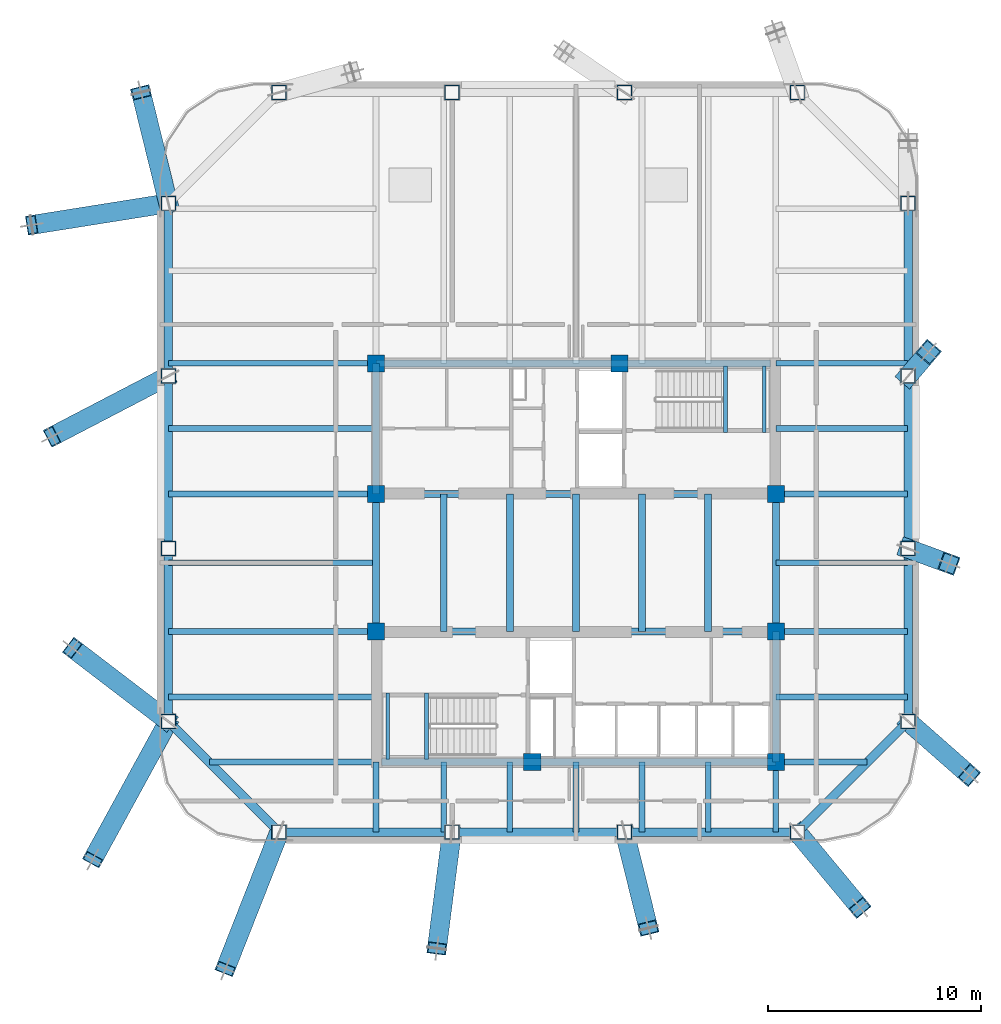
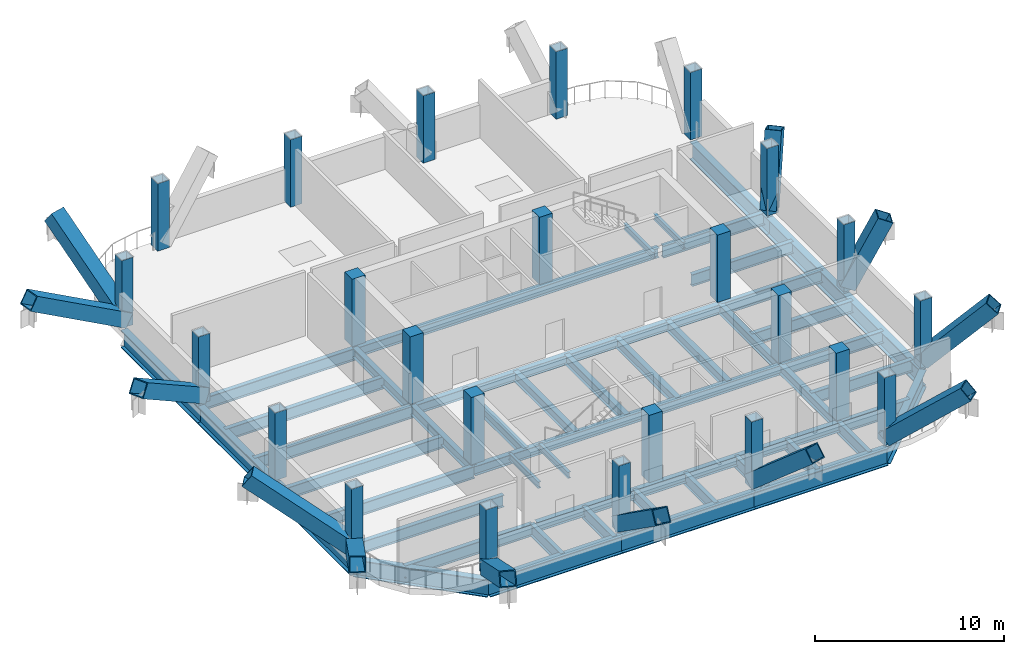
# One storey, part 1 of 8: 49 beams, 24 columns, 12 members.
"""IFC4 building model written with IfcOpenShell, lengths in metres."""

from ifc_helpers import new_model, si_unit, direction, frame, origin, origin_2d, place, context, subcontext, project, spatial, rectangle, hollow_rectangle, i_section, extrude, material, material_profile, profile_set, type_object, element, save


model = new_model("IFC4")

# Units and contexts
model_context = context("Model", 3, precision=1e-05, world=origin(), true_north=direction((0.0, 1.0)))
body_context = subcontext(model_context, "Body", "Model", "MODEL_VIEW")
ifc_project = project(units=[si_unit("LENGTHUNIT", "METRE"), si_unit("AREAUNIT", "SQUARE_METRE"), si_unit("VOLUMEUNIT", "CUBIC_METRE"), si_unit("PLANEANGLEUNIT", "RADIAN"), si_unit("MASSUNIT", "GRAM", prefix="KILO")], contexts=[model_context])

# Site, building, storey
site_placement = place(None, origin())
site = spatial("IfcSite", under=ifc_project, at=site_placement, CompositionType="ELEMENT")
building_placement = place(site_placement, origin())
building = spatial("IfcBuilding", under=site, at=building_placement, Name="Qhalaya Broadcast Tower", CompositionType="ELEMENT")
storey_placement = place(building_placement, frame((0.0, 0.0, 151.800048828125)))
storey = spatial("IfcBuildingStorey", under=building, at=storey_placement, Name="L44", CompositionType="ELEMENT", Elevation=151.800048828125)

# Columns
ifc_material_1 = material(Name="Concrete C50/60", Category="concrete")
ifc_material_profile_1 = material_profile(ifc_material_1, rectangle(XDim=0.800048828125, YDim=0.800048828125, at=origin_2d()), Name="RC-COL 800x800")
ifc_profile_set_1 = profile_set([ifc_material_profile_1], Name="Concrete C50/60")
column_type_1 = type_object("IfcColumnType", Name="RC Upper Column C10", PredefinedType="COLUMN", material=ifc_profile_set_1)
for number, where, z_axis, x_axis, name in (
    (1, (-9.375, 9.949951171875, 0.0), (0.0, 0.0, 1.0), (1.0, 0.0, 0.0), "L44 Column COL-CC1"),
    (2, (2.050048828125, 9.949951171875, 0.0), (0.0, 0.0, 1.0), (1.0, 0.0, 0.0), "L44 Column COL-CC2"),
    (3, (-9.375, 3.824951171875, 0.0), (0.0, 0.0, 1.0), (1.0, 0.0, 0.0), "L44 Column COL-CC3"),
    (4, (9.375, 3.824951171875, 0.0), (0.0, 0.0, 1.0), (1.0, 0.0, 0.0), "L44 Column COL-CC4"),
    (5, (-9.375, -2.625, 0.0), (0.0, 0.0, 1.0), (1.0, 0.0, 0.0), "L44 Column COL-CC5"),
    (6, (9.375, -2.625, 0.0), (0.0, 0.0, 1.0), (1.0, 0.0, 0.0), "L44 Column COL-CC6"),
    (7, (-2.050048828125, -8.75, 0.0), (0.0, 0.0, 1.0), (1.0, 0.0, 0.0), "L44 Column COL-CC7"),
    (8, (9.375, -8.75, 0.0), (0.0, 0.0, 1.0), (1.0, 0.0, 0.0), "L44 Column COL-CC8"),
):
    element("IfcColumn", number, at=place(storey_placement, frame(where, z_axis=z_axis, x_axis=x_axis)), inside=storey, type_object=column_type_1, Name=name, PredefinedType="COLUMN", context=body_context, shape_type="SweptSolid", body=[
        extrude(rectangle(XDim=0.800048828125, YDim=0.800048828125, at=origin_2d()), origin(), (0.0, 0.0, 1.0), 4.349853515625),
    ])
ifc_material_2 = material(Name="Structural Steel ASTM A572 Grade 50", Category="steel")
ifc_material_profile_2 = material_profile(ifc_material_2, hollow_rectangle(XDim=0.699951171875, YDim=0.699951171875, WallThickness=0.044921875, at=origin_2d()), Name="BOX 700x700x45")
ifc_profile_set_2 = profile_set([ifc_material_profile_2], Name="Structural Steel ASTM A572 Grade 50")
column_type_2 = type_object("IfcColumnType", Name="Steel Box Column C04", PredefinedType="COLUMN", material=ifc_profile_set_2)
for number, where, z_axis, x_axis, name in (
    (9, (-13.919921875, -12.0400390625, 0.0), (0.0, 0.0, 1.0), (1.0, 0.0, 0.0), "L44 Column COL-NK01"),
    (10, (-5.820068359375, -12.0400390625, 0.0), (0.0, 0.0, 1.0), (1.0, 0.0, 0.0), "L44 Column COL-NK02"),
    (11, (2.280029296875, -12.0400390625, 0.0), (0.0, 0.0, 1.0), (1.0, 0.0, 0.0), "L44 Column COL-NK03"),
    (12, (10.3798828125, -12.0400390625, 0.0), (0.0, 0.0, 1.0), (1.0, 0.0, 0.0), "L44 Column COL-NK04"),
    (13, (15.580078125, -6.840087890625, 0.0), (0.0, 0.0, 1.0), (0.0, 1.0, 0.0), "L44 Column COL-NK05"),
    (14, (15.580078125, 1.260009765625, 0.0), (0.0, 0.0, 1.0), (0.0, 1.0, 0.0), "L44 Column COL-NK06"),
    (15, (15.580078125, 9.360107421875, 0.0), (0.0, 0.0, 1.0), (0.0, 1.0, 0.0), "L44 Column COL-NK07"),
    (16, (15.580078125, 17.4599609375, 0.0), (0.0, 0.0, 1.0), (0.0, 1.0, 0.0), "L44 Column COL-NK08"),
    (17, (10.3798828125, 22.659912109375, 0.0), (0.0, 0.0, 1.0), (1.0, 0.0, 0.0), "L44 Column COL-NK09"),
    (18, (2.280029296875, 22.659912109375, 0.0), (0.0, 0.0, 1.0), (1.0, 0.0, 0.0), "L44 Column COL-NK10"),
    (19, (-5.820068359375, 22.659912109375, 0.0), (0.0, 0.0, 1.0), (1.0, 0.0, 0.0), "L44 Column COL-NK11"),
    (20, (-13.919921875, 22.659912109375, 0.0), (0.0, 0.0, 1.0), (1.0, 0.0, 0.0), "L44 Column COL-NK12"),
    (21, (-19.1201171875, 17.4599609375, 0.0), (0.0, 0.0, 1.0), (0.0, 1.0, 0.0), "L44 Column COL-NK13"),
    (22, (-19.1201171875, 9.360107421875, 0.0), (0.0, 0.0, 1.0), (0.0, 1.0, 0.0), "L44 Column COL-NK14"),
    (23, (-19.1201171875, 1.260009765625, 0.0), (0.0, 0.0, 1.0), (0.0, 1.0, 0.0), "L44 Column COL-NK15"),
    (24, (-19.1201171875, -6.840087890625, 0.0), (0.0, 0.0, 1.0), (0.0, 1.0, 0.0), "L44 Column COL-NK16"),
):
    element("IfcColumn", number, at=place(storey_placement, frame(where, z_axis=z_axis, x_axis=x_axis)), inside=storey, type_object=column_type_2, Name=name, PredefinedType="COLUMN", context=body_context, shape_type="SweptSolid", body=[
        extrude(hollow_rectangle(XDim=0.699951171875, YDim=0.699951171875, WallThickness=0.044921875, at=origin_2d()), origin(), (0.0, 0.0, 1.0), 4.349853515625),
    ])

# Beams
ifc_material_3 = material(Name="Structural Steel ASTM A992 Grade 50", Category="steel")
ifc_material_profile_3 = material_profile(ifc_material_3, i_section(OverallWidth=0.323974609375, OverallDepth=0.612060546875, WebThickness=0.0126953125, FlangeThickness=0.01904296875, at=origin_2d()), Name="W24X104")
ifc_profile_set_3 = profile_set([ifc_material_profile_3], Name="Structural Steel ASTM A992 Grade 50")
beam_type_1 = type_object("IfcBeamType", Name="Core Frame Tie Beam B04", PredefinedType="BEAM", material=ifc_profile_set_3)
beam_1_placement = place(storey_placement, frame((-9.375, 3.824951171875, -0.68603515625), z_axis=(1.0, 0.0, 0.0), x_axis=(0.0, 1.0, 0.0)))
element("IfcBeam", 25, at=beam_1_placement, inside=storey, type_object=beam_type_1, Name="L44 B04 L44-CCN1", PredefinedType="BEAM", context=body_context, shape_type="SweptSolid", body=[
    extrude(i_section(OverallWidth=0.323974609375, OverallDepth=0.612060546875, WebThickness=0.0126953125, FlangeThickness=0.01904296875, at=origin_2d()), origin(), (0.0, 0.0, 1.0), 18.75),
])
beam_2_placement = place(storey_placement, frame((-9.375, 3.824951171875, -0.68603515625), z_axis=(0.0, 1.0, 0.0), x_axis=(-1.0, 0.0, 0.0)))
element("IfcBeam", 26, at=beam_2_placement, inside=storey, type_object=beam_type_1, Name="L44 B04 L44-CCN2", PredefinedType="BEAM", context=body_context, shape_type="SweptSolid", body=[
    extrude(i_section(OverallWidth=0.323974609375, OverallDepth=0.612060546875, WebThickness=0.0126953125, FlangeThickness=0.01904296875, at=origin_2d()), origin(), (0.0, 0.0, 1.0), 6.125),
])
beam_3_placement = place(storey_placement, frame((-9.375, 9.949951171875, -0.68603515625), z_axis=(1.0, 0.0, 0.0), x_axis=(0.0, 1.0, 0.0)))
element("IfcBeam", 27, at=beam_3_placement, inside=storey, type_object=beam_type_1, Name="L44 B04 L44-CCN3", PredefinedType="BEAM", context=body_context, shape_type="SweptSolid", body=[
    extrude(i_section(OverallWidth=0.323974609375, OverallDepth=0.612060546875, WebThickness=0.0126953125, FlangeThickness=0.01904296875, at=origin_2d()), origin(), (0.0, 0.0, 1.0), 18.4951171875),
])
beam_4_placement = place(storey_placement, frame((-9.375, -2.625, -0.68603515625), z_axis=(1.0, 0.0, 0.0), x_axis=(0.0, 1.0, 0.0)))
element("IfcBeam", 28, at=beam_4_placement, inside=storey, type_object=beam_type_1, Name="L44 B04 L44-CCS1", PredefinedType="BEAM", context=body_context, shape_type="SweptSolid", body=[
    extrude(i_section(OverallWidth=0.323974609375, OverallDepth=0.612060546875, WebThickness=0.0126953125, FlangeThickness=0.01904296875, at=origin_2d()), origin(), (0.0, 0.0, 1.0), 18.75),
])
beam_5_placement = place(storey_placement, frame((9.375, -8.75, -0.68603515625), z_axis=(0.0, 1.0, 0.0), x_axis=(-1.0, 0.0, 0.0)))
element("IfcBeam", 29, at=beam_5_placement, inside=storey, type_object=beam_type_1, Name="L44 B04 L44-CCS2", PredefinedType="BEAM", context=body_context, shape_type="SweptSolid", body=[
    extrude(i_section(OverallWidth=0.323974609375, OverallDepth=0.612060546875, WebThickness=0.0126953125, FlangeThickness=0.01904296875, at=origin_2d()), origin(), (0.0, 0.0, 1.0), 6.125),
])
beam_6_placement = place(storey_placement, frame((-9.1201171875, -8.75, -0.68603515625), z_axis=(1.0, 0.0, 0.0), x_axis=(0.0, 1.0, 0.0)))
element("IfcBeam", 30, at=beam_6_placement, inside=storey, type_object=beam_type_1, Name="L44 B04 L44-CCS3", PredefinedType="BEAM", context=body_context, shape_type="SweptSolid", body=[
    extrude(i_section(OverallWidth=0.323974609375, OverallDepth=0.612060546875, WebThickness=0.0126953125, FlangeThickness=0.01904296875, at=origin_2d()), origin(), (0.0, 0.0, 1.0), 18.4951171875),
])
for number, where, z_axis, x_axis, name in (
    (31, (-9.375, -2.625, -0.68603515625), (0.0, 1.0, 0.0), (-1.0, 0.0, 0.0), "L44 B04 L44-CCW"),
    (32, (9.375, -2.625, -0.68603515625), (0.0, 1.0, 0.0), (-1.0, 0.0, 0.0), "L44 B04 L44-CCE"),
    (33, (-6.199951171875, -2.625, -0.68603515625), (0.0, 1.0, 0.0), (-1.0, 0.0, 0.0), "L44 B04 L44-JC1-1"),
    (34, (-3.10009765625, -2.625, -0.68603515625), (0.0, 1.0, 0.0), (-1.0, 0.0, 0.0), "L44 B04 L44-JC2-1"),
    (35, (0.0, -2.625, -0.68603515625), (0.0, 1.0, 0.0), (-1.0, 0.0, 0.0), "L44 B04 L44-JC3-1"),
    (36, (3.10009765625, -2.625, -0.68603515625), (0.0, 1.0, 0.0), (-1.0, 0.0, 0.0), "L44 B04 L44-JC4-1"),
    (37, (6.199951171875, -2.625, -0.68603515625), (0.0, 1.0, 0.0), (-1.0, 0.0, 0.0), "L44 B04 L44-JC5-1"),
):
    element("IfcBeam", number, at=place(storey_placement, frame(where, z_axis=z_axis, x_axis=x_axis)), inside=storey, type_object=beam_type_1, Name=name, PredefinedType="BEAM", context=body_context, shape_type="SweptSolid", body=[
        extrude(i_section(OverallWidth=0.323974609375, OverallDepth=0.612060546875, WebThickness=0.0126953125, FlangeThickness=0.01904296875, at=origin_2d()), origin(), (0.0, 0.0, 1.0), 6.449951171875),
    ])

# Members
ifc_material_profile_4 = material_profile(ifc_material_2, hollow_rectangle(XDim=0.89990234375, YDim=0.89990234375, WallThickness=0.054931640625, at=origin_2d()), Name="BOX 900x900x55")
ifc_profile_set_4 = profile_set([ifc_material_profile_4], Name="Structural Steel ASTM A572 Grade 50")
member_type = type_object("IfcMemberType", Name="Heavy Exoskeleton Transfer Strut RK1", PredefinedType="BRACE", material=ifc_profile_set_4)
member_1_placement = place(storey_placement, frame((-13.919921875, -12.0400390625, 0.400390625), z_axis=(-0.317694787473, -0.807184645887, 0.49751680319), x_axis=(0.930521192228, -0.366238052111, 0.0)))
element("IfcMember", 38, at=member_1_placement, inside=storey, type_object=member_type, Name="L44 Inclined Exoskeleton Transfer Strut 01", PredefinedType="BRACE", context=body_context, shape_type="SweptSolid", body=[
    extrude(hollow_rectangle(XDim=0.89990234375, YDim=0.89990234375, WallThickness=0.054931640625, at=origin_2d()), origin(), (0.0, 0.0, 1.0), 7.938232421875),
])
member_2_placement = place(storey_placement, frame((-5.820068359375, -12.0400390625, 0.374755859375), z_axis=(-0.103354867889, -0.803735243538, 0.585941489894), x_axis=(0.991833046876, -0.12754296188, 0.0)))
element("IfcMember", 39, at=member_2_placement, inside=storey, type_object=member_type, Name="L44 Inclined Exoskeleton Transfer Strut 02", PredefinedType="BRACE", context=body_context, shape_type="SweptSolid", body=[
    extrude(hollow_rectangle(XDim=0.89990234375, YDim=0.89990234375, WallThickness=0.054931640625, at=origin_2d()), origin(), (0.0, 0.0, 1.0), 6.7841796875),
])
member_3_placement = place(storey_placement, frame((2.280029296875, -12.0400390625, 0.3505859375), z_axis=(0.182899155076, -0.734667539393, 0.653308124575), x_axis=(0.970380630843, 0.241581107054, 0.0)))
element("IfcMember", 40, at=member_3_placement, inside=storey, type_object=member_type, Name="L44 Inclined Exoskeleton Transfer Strut 03", PredefinedType="BRACE", context=body_context, shape_type="SweptSolid", body=[
    extrude(hollow_rectangle(XDim=0.89990234375, YDim=0.89990234375, WallThickness=0.054931640625, at=origin_2d()), origin(), (0.0, 0.0, 1.0), 6.12158203125),
])
member_4_placement = place(storey_placement, frame((10.3798828125, -12.0400390625, 0.349609375), z_axis=(0.482142693535, -0.580780986201, 0.655920627164), x_axis=(0.76941971985, 0.638743528113, 0.0)))
element("IfcMember", 41, at=member_4_placement, inside=storey, type_object=member_type, Name="L44 Inclined Exoskeleton Transfer Strut 04", PredefinedType="BRACE", context=body_context, shape_type="SweptSolid", body=[
    extrude(hollow_rectangle(XDim=0.89990234375, YDim=0.89990234375, WallThickness=0.054931640625, at=origin_2d()), origin(), (0.0, 0.0, 1.0), 6.0986328125),
])
member_5_placement = place(storey_placement, frame((15.580078125, -6.840087890625, 0.3193359375), z_axis=(0.516476366692, -0.45421427447, 0.725907401475), x_axis=(0.66039439539, 0.750918932067, 0.0)))
element("IfcMember", 42, at=member_5_placement, inside=storey, type_object=member_type, Name="L44 Inclined Exoskeleton Transfer Strut 05", PredefinedType="BRACE", context=body_context, shape_type="SweptSolid", body=[
    extrude(hollow_rectangle(XDim=0.89990234375, YDim=0.89990234375, WallThickness=0.054931640625, at=origin_2d()), origin(), (0.0, 0.0, 1.0), 5.552490234375),
])
member_6_placement = place(storey_placement, frame((15.580078125, 1.260009765625, 0.20849609375), z_axis=(0.414408435196, -0.151925073511, 0.897320690098), x_axis=(0.344205347571, 0.938894391667, 0.0)))
element("IfcMember", 43, at=member_6_placement, inside=storey, type_object=member_type, Name="L44 Inclined Exoskeleton Transfer Strut 06", PredefinedType="BRACE", context=body_context, shape_type="SweptSolid", body=[
    extrude(hollow_rectangle(XDim=0.89990234375, YDim=0.89990234375, WallThickness=0.054931640625, at=origin_2d()), origin(), (0.0, 0.0, 1.0), 4.615234375),
])
member_7_placement = place(storey_placement, frame((15.580078125, 9.360107421875, 0.1591796875), z_axis=(0.215506683815, 0.252001567276, 0.943425714787), x_axis=(-0.759993243935, 0.649930972622, 0.0)))
element("IfcMember", 44, at=member_7_placement, inside=storey, type_object=member_type, Name="L44 Inclined Exoskeleton Transfer Strut 07", PredefinedType="BRACE", context=body_context, shape_type="SweptSolid", body=[
    extrude(hollow_rectangle(XDim=0.89990234375, YDim=0.89990234375, WallThickness=0.054931640625, at=origin_2d()), origin(), (0.0, 0.0, 1.0), 4.44189453125),
])
member_8_placement = place(storey_placement, frame((-19.1201171875, 17.4599609375, 0.371337890625), z_axis=(-0.191856367143, 0.779571981519, 0.596203539085), x_axis=(-0.971025942657, -0.238974096269, 0.0)))
element("IfcMember", 45, at=member_8_placement, inside=storey, type_object=member_type, Name="L44 Inclined Exoskeleton Transfer Strut 12", PredefinedType="BRACE", context=body_context, shape_type="SweptSolid", body=[
    extrude(hollow_rectangle(XDim=0.89990234375, YDim=0.89990234375, WallThickness=0.054931640625, at=origin_2d()), origin(), (0.0, 0.0, 1.0), 6.673095703125),
])
member_9_placement = place(storey_placement, frame((-19.1201171875, 17.4599609375, 0.39404296875), z_axis=(-0.843239322166, -0.133975004703, 0.520574820432), x_axis=(0.156913194437, -0.987612398369, 0.0)))
element("IfcMember", 46, at=member_9_placement, inside=storey, type_object=member_type, Name="L44 Inclined Exoskeleton Transfer Strut 13", PredefinedType="BRACE", context=body_context, shape_type="SweptSolid", body=[
    extrude(hollow_rectangle(XDim=0.89990234375, YDim=0.89990234375, WallThickness=0.054931640625, at=origin_2d()), origin(), (0.0, 0.0, 1.0), 7.598876953125),
])
member_10_placement = place(storey_placement, frame((-19.1201171875, 9.360107421875, 0.38818359375), z_axis=(-0.745557154258, -0.388185133646, 0.541716560343), x_axis=(0.461816609425, -0.88697543329, 0.0)))
element("IfcMember", 47, at=member_10_placement, inside=storey, type_object=member_type, Name="L44 Inclined Exoskeleton Transfer Strut 14", PredefinedType="BRACE", context=body_context, shape_type="SweptSolid", body=[
    extrude(hollow_rectangle(XDim=0.89990234375, YDim=0.89990234375, WallThickness=0.054931640625, at=origin_2d()), origin(), (0.0, 0.0, 1.0), 7.313232421875),
])
member_11_placement = place(storey_placement, frame((-19.1201171875, -6.840087890625, 0.37841796875), z_axis=(-0.650231711891, 0.497451969813, 0.574230144263), x_axis=(-0.607616540379, -0.794230533194, 0.0)))
element("IfcMember", 48, at=member_11_placement, inside=storey, type_object=member_type, Name="L44 Inclined Exoskeleton Transfer Strut 15", PredefinedType="BRACE", context=body_context, shape_type="SweptSolid", body=[
    extrude(hollow_rectangle(XDim=0.89990234375, YDim=0.89990234375, WallThickness=0.054931640625, at=origin_2d()), origin(), (0.0, 0.0, 1.0), 6.916015625),
])
member_12_placement = place(storey_placement, frame((-19.1201171875, -6.840087890625, 0.406982421875), z_axis=(-0.423091479195, -0.774063767044, 0.470976522539), x_axis=(0.877478320938, -0.479616301103, 0.0)))
element("IfcMember", 49, at=member_12_placement, inside=storey, type_object=member_type, Name="L44 Inclined Exoskeleton Transfer Strut 16", PredefinedType="BRACE", context=body_context, shape_type="SweptSolid", body=[
    extrude(hollow_rectangle(XDim=0.89990234375, YDim=0.89990234375, WallThickness=0.054931640625, at=origin_2d()), origin(), (0.0, 0.0, 1.0), 8.37158203125),
])

# Beams
ifc_material_profile_5 = material_profile(ifc_material_3, i_section(OverallWidth=0.26708984375, OverallDepth=0.780029296875, WebThickness=0.0166015625, FlangeThickness=0.030029296875, at=origin_2d()), Name="W30X148")
ifc_profile_set_5 = profile_set([ifc_material_profile_5], Name="Structural Steel ASTM A992 Grade 50")
beam_type_2 = type_object("IfcBeamType", Name="Neck & Crown Primary Girder PG5", PredefinedType="USERDEFINED", material=ifc_profile_set_5)
for number, where, z_axis, x_axis, name in (
    (50, (-9.375, -12.02001953125, -0.77001953125), (0.0, 1.0, 0.0), (-1.0, 0.0, 0.0), "L44 PG5 L44-PGXS1-1"),
    (51, (9.375, -12.02001953125, -0.77001953125), (0.0, 1.0, 0.0), (-1.0, 0.0, 0.0), "L44 PG5 L44-PGXS2-1"),
):
    element("IfcBeam", number, at=place(storey_placement, frame(where, z_axis=z_axis, x_axis=x_axis)), inside=storey, type_object=beam_type_2, Name=name, ObjectType="GIRDER", PredefinedType="USERDEFINED", context=body_context, shape_type="SweptSolid", body=[
        extrude(i_section(OverallWidth=0.26708984375, OverallDepth=0.780029296875, WebThickness=0.0166015625, FlangeThickness=0.030029296875, at=origin_2d()), origin(), (0.0, 0.0, 1.0), 3.27001953125),
    ])
beam_7_placement = place(storey_placement, frame((-17.181640625, -8.75, -0.77001953125), z_axis=(1.0, 0.0, 0.0), x_axis=(0.0, 1.0, 0.0)))
element("IfcBeam", 52, at=beam_7_placement, inside=storey, type_object=beam_type_2, Name="L44 PG5 L44-PGYW1-1", ObjectType="GIRDER", PredefinedType="USERDEFINED", context=body_context, shape_type="SweptSolid", body=[
    extrude(i_section(OverallWidth=0.26708984375, OverallDepth=0.780029296875, WebThickness=0.0166015625, FlangeThickness=0.030029296875, at=origin_2d()), origin(), (0.0, 0.0, 1.0), 7.806640625),
])
beam_8_placement = place(storey_placement, frame((9.375, -8.75, -0.77001953125), z_axis=(1.0, 0.0, 0.0), x_axis=(0.0, 1.0, 0.0)))
element("IfcBeam", 53, at=beam_8_placement, inside=storey, type_object=beam_type_2, Name="L44 PG5 L44-PGYE1-1", ObjectType="GIRDER", PredefinedType="USERDEFINED", context=body_context, shape_type="SweptSolid", body=[
    extrude(i_section(OverallWidth=0.26708984375, OverallDepth=0.780029296875, WebThickness=0.0166015625, FlangeThickness=0.030029296875, at=origin_2d()), origin(), (0.0, 0.0, 1.0), 4.2666015625),
])
beam_9_placement = place(storey_placement, frame((-19.10009765625, -2.625, -0.77001953125), z_axis=(1.0, 0.0, 0.0), x_axis=(0.0, 1.0, 0.0)))
element("IfcBeam", 54, at=beam_9_placement, inside=storey, type_object=beam_type_2, Name="L44 PG5 L44-PGYW2-1", ObjectType="GIRDER", PredefinedType="USERDEFINED", context=body_context, shape_type="SweptSolid", body=[
    extrude(i_section(OverallWidth=0.26708984375, OverallDepth=0.780029296875, WebThickness=0.0166015625, FlangeThickness=0.030029296875, at=origin_2d()), origin(), (0.0, 0.0, 1.0), 9.72509765625),
])
beam_10_placement = place(storey_placement, frame((9.375, -2.625, -0.77001953125), z_axis=(1.0, 0.0, 0.0), x_axis=(0.0, 1.0, 0.0)))
element("IfcBeam", 55, at=beam_10_placement, inside=storey, type_object=beam_type_2, Name="L44 PG5 L44-PGYE2-1", ObjectType="GIRDER", PredefinedType="USERDEFINED", context=body_context, shape_type="SweptSolid", body=[
    extrude(i_section(OverallWidth=0.26708984375, OverallDepth=0.780029296875, WebThickness=0.0166015625, FlangeThickness=0.030029296875, at=origin_2d()), origin(), (0.0, 0.0, 1.0), 6.18505859375),
])
beam_11_placement = place(storey_placement, frame((-19.10009765625, 3.824951171875, -0.77001953125), z_axis=(1.0, 0.0, 0.0), x_axis=(0.0, 1.0, 0.0)))
element("IfcBeam", 56, at=beam_11_placement, inside=storey, type_object=beam_type_2, Name="L44 PG5 L44-PGYW3-1", ObjectType="GIRDER", PredefinedType="USERDEFINED", context=body_context, shape_type="SweptSolid", body=[
    extrude(i_section(OverallWidth=0.26708984375, OverallDepth=0.780029296875, WebThickness=0.0166015625, FlangeThickness=0.030029296875, at=origin_2d()), origin(), (0.0, 0.0, 1.0), 9.72509765625),
])
beam_12_placement = place(storey_placement, frame((9.375, 3.824951171875, -0.77001953125), z_axis=(1.0, 0.0, 0.0), x_axis=(0.0, 1.0, 0.0)))
element("IfcBeam", 57, at=beam_12_placement, inside=storey, type_object=beam_type_2, Name="L44 PG5 L44-PGYE3-1", ObjectType="GIRDER", PredefinedType="USERDEFINED", context=body_context, shape_type="SweptSolid", body=[
    extrude(i_section(OverallWidth=0.26708984375, OverallDepth=0.780029296875, WebThickness=0.0166015625, FlangeThickness=0.030029296875, at=origin_2d()), origin(), (0.0, 0.0, 1.0), 6.18505859375),
])
beam_13_placement = place(storey_placement, frame((-19.10009765625, 9.949951171875, -0.77001953125), z_axis=(1.0, 0.0, 0.0), x_axis=(0.0, 1.0, 0.0)))
element("IfcBeam", 58, at=beam_13_placement, inside=storey, type_object=beam_type_2, Name="L44 PG5 L44-PGYW4-1", ObjectType="GIRDER", PredefinedType="USERDEFINED", context=body_context, shape_type="SweptSolid", body=[
    extrude(i_section(OverallWidth=0.26708984375, OverallDepth=0.780029296875, WebThickness=0.0166015625, FlangeThickness=0.030029296875, at=origin_2d()), origin(), (0.0, 0.0, 1.0), 9.72509765625),
])
beam_14_placement = place(storey_placement, frame((9.375, 9.949951171875, -0.77001953125), z_axis=(1.0, 0.0, 0.0), x_axis=(0.0, 1.0, 0.0)))
element("IfcBeam", 59, at=beam_14_placement, inside=storey, type_object=beam_type_2, Name="L44 PG5 L44-PGYE4-1", ObjectType="GIRDER", PredefinedType="USERDEFINED", context=body_context, shape_type="SweptSolid", body=[
    extrude(i_section(OverallWidth=0.26708984375, OverallDepth=0.780029296875, WebThickness=0.0166015625, FlangeThickness=0.030029296875, at=origin_2d()), origin(), (0.0, 0.0, 1.0), 6.18505859375),
])
ifc_material_profile_6 = material_profile(ifc_material_3, i_section(OverallWidth=0.26708984375, OverallDepth=0.761962890625, WebThickness=0.014404296875, FlangeThickness=0.021484375, at=origin_2d()), Name="W30X116")
ifc_profile_set_6 = profile_set([ifc_material_profile_6], Name="Structural Steel ASTM A992 Grade 50")
beam_type_3 = type_object("IfcBeamType", Name="Plant & Server Floor Beam B02", PredefinedType="BEAM", material=ifc_profile_set_6)
for number, where, z_axis, x_axis, name in (
    (60, (-6.199951171875, -12.02001953125, -0.760986328125), (0.0, 1.0, 0.0), (-1.0, 0.0, 0.0), "L44 B02 L44-JNS1-1"),
    (61, (-3.10009765625, -12.02001953125, -0.760986328125), (0.0, 1.0, 0.0), (-1.0, 0.0, 0.0), "L44 B02 L44-JNS2-1"),
    (62, (0.0, -12.02001953125, -0.760986328125), (0.0, 1.0, 0.0), (-1.0, 0.0, 0.0), "L44 B02 L44-JNS3-1"),
    (63, (3.10009765625, -12.02001953125, -0.760986328125), (0.0, 1.0, 0.0), (-1.0, 0.0, 0.0), "L44 B02 L44-JNS4-1"),
    (64, (6.199951171875, -12.02001953125, -0.760986328125), (0.0, 1.0, 0.0), (-1.0, 0.0, 0.0), "L44 B02 L44-JNS5-1"),
):
    element("IfcBeam", number, at=place(storey_placement, frame(where, z_axis=z_axis, x_axis=x_axis)), inside=storey, type_object=beam_type_3, Name=name, PredefinedType="BEAM", context=body_context, shape_type="SweptSolid", body=[
        extrude(i_section(OverallWidth=0.26708984375, OverallDepth=0.761962890625, WebThickness=0.014404296875, FlangeThickness=0.021484375, at=origin_2d()), origin(), (0.0, 0.0, 1.0), 3.27001953125),
    ])
beam_15_placement = place(storey_placement, frame((-19.10009765625, -5.699951171875, -0.760986328125), z_axis=(1.0, 0.0, 0.0), x_axis=(0.0, 1.0, 0.0)))
element("IfcBeam", 65, at=beam_15_placement, inside=storey, type_object=beam_type_3, Name="L44 B02 L44-JWE3W-1", PredefinedType="BEAM", context=body_context, shape_type="SweptSolid", body=[
    extrude(i_section(OverallWidth=0.26708984375, OverallDepth=0.761962890625, WebThickness=0.014404296875, FlangeThickness=0.021484375, at=origin_2d()), origin(), (0.0, 0.0, 1.0), 9.72509765625),
])
beam_16_placement = place(storey_placement, frame((9.375, -5.699951171875, -0.760986328125), z_axis=(1.0, 0.0, 0.0), x_axis=(0.0, 1.0, 0.0)))
element("IfcBeam", 66, at=beam_16_placement, inside=storey, type_object=beam_type_3, Name="L44 B02 L44-JWE3E-1", PredefinedType="BEAM", context=body_context, shape_type="SweptSolid", body=[
    extrude(i_section(OverallWidth=0.26708984375, OverallDepth=0.761962890625, WebThickness=0.014404296875, FlangeThickness=0.021484375, at=origin_2d()), origin(), (0.0, 0.0, 1.0), 6.18505859375),
])
beam_17_placement = place(storey_placement, frame((-19.10009765625, 0.60009765625, -0.760986328125), z_axis=(1.0, 0.0, 0.0), x_axis=(0.0, 1.0, 0.0)))
element("IfcBeam", 67, at=beam_17_placement, inside=storey, type_object=beam_type_3, Name="L44 B02 L44-JWE4W-1", PredefinedType="BEAM", context=body_context, shape_type="SweptSolid", body=[
    extrude(i_section(OverallWidth=0.26708984375, OverallDepth=0.761962890625, WebThickness=0.014404296875, FlangeThickness=0.021484375, at=origin_2d()), origin(), (0.0, 0.0, 1.0), 9.72509765625),
])
beam_18_placement = place(storey_placement, frame((9.375, 0.60009765625, -0.760986328125), z_axis=(1.0, 0.0, 0.0), x_axis=(0.0, 1.0, 0.0)))
element("IfcBeam", 68, at=beam_18_placement, inside=storey, type_object=beam_type_3, Name="L44 B02 L44-JWE4E-1", PredefinedType="BEAM", context=body_context, shape_type="SweptSolid", body=[
    extrude(i_section(OverallWidth=0.26708984375, OverallDepth=0.761962890625, WebThickness=0.014404296875, FlangeThickness=0.021484375, at=origin_2d()), origin(), (0.0, 0.0, 1.0), 6.18505859375),
])
beam_19_placement = place(storey_placement, frame((-19.10009765625, 6.89990234375, -0.760986328125), z_axis=(1.0, 0.0, 0.0), x_axis=(0.0, 1.0, 0.0)))
element("IfcBeam", 69, at=beam_19_placement, inside=storey, type_object=beam_type_3, Name="L44 B02 L44-JWE5W-1", PredefinedType="BEAM", context=body_context, shape_type="SweptSolid", body=[
    extrude(i_section(OverallWidth=0.26708984375, OverallDepth=0.761962890625, WebThickness=0.014404296875, FlangeThickness=0.021484375, at=origin_2d()), origin(), (0.0, 0.0, 1.0), 9.72509765625),
])
beam_20_placement = place(storey_placement, frame((9.375, 6.89990234375, -0.760986328125), z_axis=(1.0, 0.0, 0.0), x_axis=(0.0, 1.0, 0.0)))
element("IfcBeam", 70, at=beam_20_placement, inside=storey, type_object=beam_type_3, Name="L44 B02 L44-JWE5E-1", PredefinedType="BEAM", context=body_context, shape_type="SweptSolid", body=[
    extrude(i_section(OverallWidth=0.26708984375, OverallDepth=0.761962890625, WebThickness=0.014404296875, FlangeThickness=0.021484375, at=origin_2d()), origin(), (0.0, 0.0, 1.0), 6.18505859375),
])
ifc_material_profile_7 = material_profile(ifc_material_3, i_section(OverallWidth=0.404052734375, OverallDepth=1.117919921875, WebThickness=0.026123046875, FlangeThickness=0.044921875, at=origin_2d()), Name="W44X335")
ifc_profile_set_7 = profile_set([ifc_material_profile_7], Name="Structural Steel ASTM A992 Grade 50")
beam_type_4 = type_object("IfcBeamType", Name="Podium Long-Span Primary Girder PG1", PredefinedType="USERDEFINED", material=ifc_profile_set_7)
beam_21_placement = place(storey_placement, frame((-13.919921875, -12.0400390625, -0.93896484375), z_axis=(1.0, 0.0, 0.0), x_axis=(0.0, 1.0, 0.0)))
element("IfcBeam", 71, at=beam_21_placement, inside=storey, type_object=beam_type_4, Name="L44 PG1 L44-SPR-01", ObjectType="GIRDER", PredefinedType="USERDEFINED", context=body_context, shape_type="SweptSolid", body=[
    extrude(i_section(OverallWidth=0.404052734375, OverallDepth=1.117919921875, WebThickness=0.026123046875, FlangeThickness=0.044921875, at=origin_2d()), origin(), (0.0, 0.0, 1.0), 8.099853515625),
])
beam_22_placement = place(storey_placement, frame((-5.820068359375, -12.0400390625, -0.93896484375), z_axis=(1.0, 0.0, 0.0), x_axis=(0.0, 1.0, 0.0)))
element("IfcBeam", 72, at=beam_22_placement, inside=storey, type_object=beam_type_4, Name="L44 PG1 L44-SPR-02", ObjectType="GIRDER", PredefinedType="USERDEFINED", context=body_context, shape_type="SweptSolid", body=[
    extrude(i_section(OverallWidth=0.404052734375, OverallDepth=1.117919921875, WebThickness=0.026123046875, FlangeThickness=0.044921875, at=origin_2d()), origin(), (0.0, 0.0, 1.0), 8.10009765625),
])
beam_23_placement = place(storey_placement, frame((2.280029296875, -12.0400390625, -0.93896484375), z_axis=(1.0, 0.0, 0.0), x_axis=(0.0, 1.0, 0.0)))
element("IfcBeam", 73, at=beam_23_placement, inside=storey, type_object=beam_type_4, Name="L44 PG1 L44-SPR-03", ObjectType="GIRDER", PredefinedType="USERDEFINED", context=body_context, shape_type="SweptSolid", body=[
    extrude(i_section(OverallWidth=0.404052734375, OverallDepth=1.117919921875, WebThickness=0.026123046875, FlangeThickness=0.044921875, at=origin_2d()), origin(), (0.0, 0.0, 1.0), 8.099853515625),
])
beam_24_placement = place(storey_placement, frame((10.3798828125, -12.0400390625, -0.93896484375), z_axis=(0.707123380132, 0.707090181851, 0.0), x_axis=(-0.707090181851, 0.707123380132, 0.0)))
element("IfcBeam", 74, at=beam_24_placement, inside=storey, type_object=beam_type_4, Name="L44 PG1 L44-SPR-04", ObjectType="GIRDER", PredefinedType="USERDEFINED", context=body_context, shape_type="SweptSolid", body=[
    extrude(i_section(OverallWidth=0.404052734375, OverallDepth=1.117919921875, WebThickness=0.026123046875, FlangeThickness=0.044921875, at=origin_2d()), origin(), (0.0, 0.0, 1.0), 7.35400390625),
])
for number, where, z_axis, x_axis, name in (
    (75, (15.580078125, -6.840087890625, -0.93896484375), (0.0, 1.0, 0.0), (-1.0, 0.0, 0.0), "L44 PG1 L44-SPR-05"),
    (76, (15.580078125, 1.260009765625, -0.93896484375), (0.0, 1.0, 0.0), (-1.0, 0.0, 0.0), "L44 PG1 L44-SPR-06"),
):
    element("IfcBeam", number, at=place(storey_placement, frame(where, z_axis=z_axis, x_axis=x_axis)), inside=storey, type_object=beam_type_4, Name=name, ObjectType="GIRDER", PredefinedType="USERDEFINED", context=body_context, shape_type="SweptSolid", body=[
        extrude(i_section(OverallWidth=0.404052734375, OverallDepth=1.117919921875, WebThickness=0.026123046875, FlangeThickness=0.044921875, at=origin_2d()), origin(), (0.0, 0.0, 1.0), 8.10009765625),
    ])
for number, where, z_axis, x_axis, name in (
    (77, (15.580078125, 9.360107421875, -0.93896484375), (0.0, 1.0, 0.0), (-1.0, 0.0, 0.0), "L44 PG1 L44-SPR-07"),
    (78, (-19.1201171875, 17.4599609375, -0.93896484375), (0.0, -1.0, 0.0), (1.0, 0.0, 0.0), "L44 PG1 L44-SPR-13"),
):
    element("IfcBeam", number, at=place(storey_placement, frame(where, z_axis=z_axis, x_axis=x_axis)), inside=storey, type_object=beam_type_4, Name=name, ObjectType="GIRDER", PredefinedType="USERDEFINED", context=body_context, shape_type="SweptSolid", body=[
        extrude(i_section(OverallWidth=0.404052734375, OverallDepth=1.117919921875, WebThickness=0.026123046875, FlangeThickness=0.044921875, at=origin_2d()), origin(), (0.0, 0.0, 1.0), 8.099853515625),
    ])
for number, where, z_axis, x_axis, name in (
    (79, (-19.1201171875, 9.360107421875, -0.93896484375), (0.0, -1.0, 0.0), (1.0, 0.0, 0.0), "L44 PG1 L44-SPR-14"),
    (80, (-19.1201171875, 1.260009765625, -0.93896484375), (0.0, -1.0, 0.0), (1.0, 0.0, 0.0), "L44 PG1 L44-SPR-15"),
):
    element("IfcBeam", number, at=place(storey_placement, frame(where, z_axis=z_axis, x_axis=x_axis)), inside=storey, type_object=beam_type_4, Name=name, ObjectType="GIRDER", PredefinedType="USERDEFINED", context=body_context, shape_type="SweptSolid", body=[
        extrude(i_section(OverallWidth=0.404052734375, OverallDepth=1.117919921875, WebThickness=0.026123046875, FlangeThickness=0.044921875, at=origin_2d()), origin(), (0.0, 0.0, 1.0), 8.10009765625),
    ])
beam_25_placement = place(storey_placement, frame((-19.1201171875, -6.840087890625, -0.93896484375), z_axis=(0.707123380132, -0.707090181851, 0.0), x_axis=(0.707090181851, 0.707123380132, 0.0)))
element("IfcBeam", 81, at=beam_25_placement, inside=storey, type_object=beam_type_4, Name="L44 PG1 L44-SPR-16", ObjectType="GIRDER", PredefinedType="USERDEFINED", context=body_context, shape_type="SweptSolid", body=[
    extrude(i_section(OverallWidth=0.404052734375, OverallDepth=1.117919921875, WebThickness=0.026123046875, FlangeThickness=0.044921875, at=origin_2d()), origin(), (0.0, 0.0, 1.0), 7.35400390625),
])
ifc_material_profile_8 = material_profile(ifc_material_3, i_section(OverallWidth=0.177978515625, OverallDepth=0.406005859375, WebThickness=0.0078125, FlangeThickness=0.0126953125, at=origin_2d()), Name="W16X40")
ifc_profile_set_8 = profile_set([ifc_material_profile_8], Name="Structural Steel ASTM A992 Grade 50")
beam_type_5 = type_object("IfcBeamType", Name="Upper Perimeter Spandrel Beam SP2", PredefinedType="SPANDREL", material=ifc_profile_set_8)
for number, where, z_axis, x_axis, name in (
    (82, (7.014892578125, 6.699951171875, 1.77197265625), (0.0, 1.0, 0.0), (-1.0, 0.0, 0.0), "L44 ST-1 Half-Landing Bearer Beam 1"),
    (83, (8.830078125, 6.699951171875, 1.77197265625), (0.0, 1.0, 0.0), (-1.0, 0.0, 0.0), "L44 ST-1 Half-Landing Bearer Beam 2"),
    (84, (-8.830078125, -8.6201171875, 1.77197265625), (0.0, 1.0, 0.0), (-1.0, 0.0, 0.0), "L44 ST-2 Half-Landing Bearer Beam 1"),
    (85, (-7.014892578125, -8.6201171875, 1.77197265625), (0.0, 1.0, 0.0), (-1.0, 0.0, 0.0), "L44 ST-2 Half-Landing Bearer Beam 2"),
):
    element("IfcBeam", number, at=place(storey_placement, frame(where, z_axis=z_axis, x_axis=x_axis)), inside=storey, type_object=beam_type_5, Name=name, PredefinedType="SPANDREL", context=body_context, shape_type="SweptSolid", body=[
        extrude(i_section(OverallWidth=0.177978515625, OverallDepth=0.406005859375, WebThickness=0.0078125, FlangeThickness=0.0126953125, at=origin_2d()), origin(), (0.0, 0.0, 1.0), 3.1201171875),
    ])

save(model, "model.ifc")
